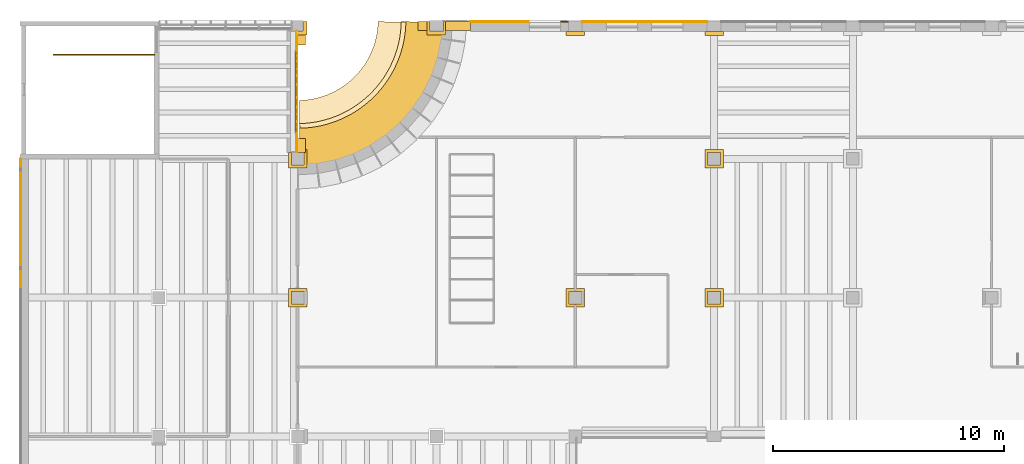
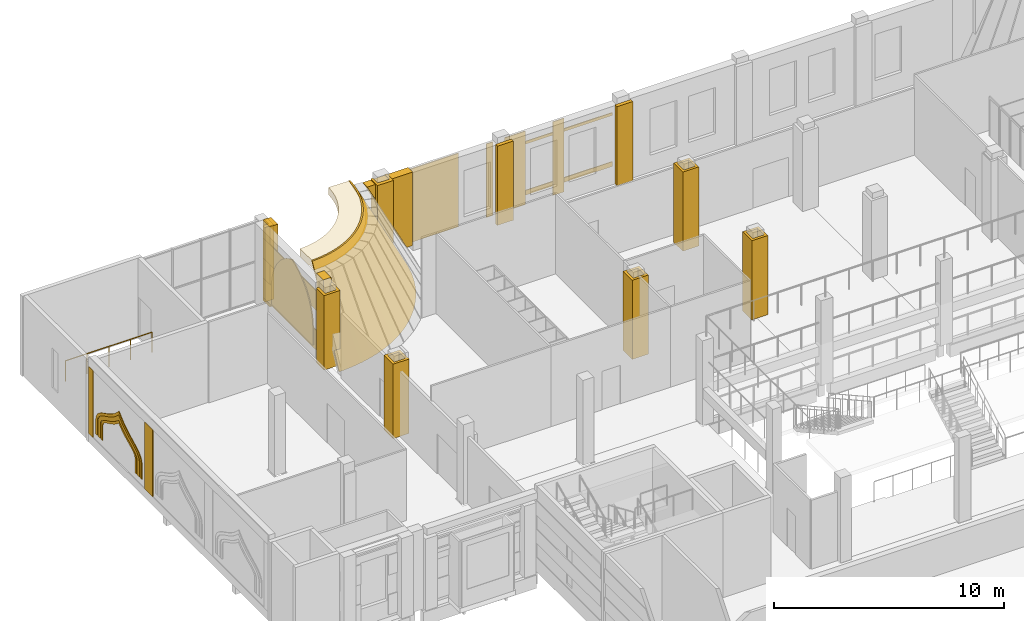
# One storey, part 66 of 70: 28 coverings, 1 railing.
"""IFC4 building model written with IfcOpenShell, lengths in metres."""

from ifc_helpers import new_model, entity, si_unit, direction, frame, origin, origin_2d, place, context, subcontext, project, spatial, polyline, rectangle, circle, outline, extrude, material, layer, layer_set, type_object, element, save


model = new_model("IFC4")

# Units and contexts
model_context = context("Model", 3, precision=1e-05, world=origin(), true_north=direction((0.0, 1.0)))
body_context = subcontext(model_context, "Body", "Model", "MODEL_VIEW")
ifc_project = project(units=[si_unit("LENGTHUNIT", "METRE"), si_unit("AREAUNIT", "SQUARE_METRE"), si_unit("VOLUMEUNIT", "CUBIC_METRE"), si_unit("PLANEANGLEUNIT", "RADIAN"), si_unit("MASSUNIT", "GRAM", prefix="KILO")], contexts=[model_context])

# Site, building, storey
site_placement = place(None, origin())
site = spatial("IfcSite", under=ifc_project, at=site_placement, CompositionType="ELEMENT")
building_placement = place(site_placement, origin())
building = spatial("IfcBuilding", under=site, at=building_placement, Name="Saffron Lane Theatres", CompositionType="ELEMENT")
storey_placement = place(building_placement, frame((0.0, 0.0, 12.0)))
storey = spatial("IfcBuildingStorey", under=building, at=storey_placement, Name="L02", CompositionType="ELEMENT", Elevation=12.0)

# Coverings
ifc_material_1 = material(Name="Masonry pale clay brick", Category="masonry")
ifc_layer_1 = layer(ifc_material_1, 0.050048828125)
ifc_layer_set_1 = layer_set([ifc_layer_1], Name="Masonry pale clay brick")
covering_type_1 = type_object("IfcCoveringType", Name="EX-ARCH PANEL BRICK 50", PredefinedType="CLADDING", material=ifc_layer_set_1)
covering_1_placement = place(storey_placement, frame((11.89990234375, 124.699951171875, 1.199951171875), z_axis=(-1.0, 0.0, 0.0), x_axis=(0.0, 0.0, -1.0)))
element("IfcCovering", 1, at=covering_1_placement, inside=storey, type_object=covering_type_1, Name="Blind arch panel 14", PredefinedType="CLADDING", context=body_context, shape_type="SweptSolid", body=[
    extrude(outline(polyline([(0.0, 0.0), (0.89990234375, 0.0), (0.89990234375, 3.599853515625), (0.0, 3.599853515625), (-0.33203125, 3.579833984375), (-0.658935546875, 3.51904296875), (-0.97607421875, 3.41796875), (-1.278076171875, 3.280029296875), (-1.56103515625, 3.10498046875), (-1.820068359375, 2.89697265625), (-2.052001953125, 2.658935546875), (-2.2529296875, 2.39404296875), (-2.420166015625, 2.10595703125), (-2.550048828125, 1.800048828125), (-2.420166015625, 1.493896484375), (-2.2529296875, 1.20703125), (-2.052001953125, 0.94189453125), (-1.820068359375, 0.703857421875), (-1.56103515625, 0.495849609375), (-1.278076171875, 0.321044921875), (-0.97607421875, 0.181884765625), (-0.658935546875, 0.08203125), (-0.33203125, 0.02099609375), (0.0, 0.0)])), origin(), (0.0, 0.0, -1.0), 0.050048828125),
])
ifc_material_2 = material(Name="Masonry pale clay brick", Category="masonry")
ifc_layer_2 = layer(ifc_material_2, 0.39990234375)
ifc_layer_set_2 = layer_set([ifc_layer_2], Name="Masonry pale clay brick")
covering_type_2 = type_object("IfcCoveringType", Name="EX-END INFILL CLADDING BRICK 400", PredefinedType="CLADDING", material=ifc_layer_set_2)
covering_2_placement = place(storey_placement, frame((19.474365234375, 125.93994140625, 4.14990234375), z_axis=(0.0, 1.0, 0.0), x_axis=(0.0, 0.0, -1.0)))
element("IfcCovering", 2, at=covering_2_placement, inside=storey, type_object=covering_type_2, Name="Wall end infill L02 11", PredefinedType="CLADDING", context=body_context, shape_type="SweptSolid", body=[
    extrude(outline(polyline([(0.0, 0.0), (3.89990234375, 0.0), (3.89990234375, 0.295166015625), (0.0, 2.280029296875), (0.0, 0.0)])), origin(), (0.0, 0.0, -1.0), 0.39990234375),
])
ifc_material_3 = material(Name="Face brick cladding, pale buff", Category="masonry")
ifc_layer_3 = layer(ifc_material_3, 0.0400390625)
ifc_layer_set_3 = layer_set([ifc_layer_3], Name="Face brick cladding, pale buff")
covering_type_3 = type_object("IfcCoveringType", Name="EX-FACE BRICK CLADDING PALE BUFF 40", PredefinedType="CLADDING", material=ifc_layer_set_3)
for number, where, z_axis, x_axis, name in (
    (3, (11.969970703125, 122.89990234375, 0.14990234375), (0.0, 0.0, 1.0), (0.0, -1.0, 0.0), "Cladding course L02"),
    (4, (11.969970703125, 122.89990234375, 2.25), (0.0, 0.0, 1.0), (0.0, -1.0, 0.0), "Cladding course L02"),
):
    element("IfcCovering", number, at=place(storey_placement, frame(where, z_axis=z_axis, x_axis=x_axis)), inside=storey, type_object=covering_type_3, Name=name, PredefinedType="CLADDING", context=body_context, shape_type="SweptSolid", body=[
        extrude(rectangle(XDim=5.25, YDim=0.0400390625, at=origin_2d()), origin(), (0.0, 0.0, 1.0), 1.050048828125),
    ])
covering_3_placement = place(storey_placement, frame((20.73291015625, 125.919921875, 0.150146484375), z_axis=(0.0, 0.0, 1.0), x_axis=(1.0, 0.0, 0.0)))
element("IfcCovering", 5, at=covering_3_placement, inside=storey, type_object=covering_type_3, Name="Cladding course L02", PredefinedType="CLADDING", context=body_context, shape_type="SweptSolid", body=[
    extrude(rectangle(XDim=2.51806640625, YDim=0.0400390625, at=origin_2d()), origin(), (0.0, 0.0, 1.0), 3.89990234375),
])
covering_4_placement = place(storey_placement, frame((23.541015625, 125.919921875, 0.150146484375), z_axis=(0.0, 0.0, 1.0), x_axis=(1.0, 0.0, 0.0)))
element("IfcCovering", 6, at=covering_4_placement, inside=storey, type_object=covering_type_3, Name="Cladding course L02", PredefinedType="CLADDING", context=body_context, shape_type="SweptSolid", body=[
    extrude(rectangle(XDim=0.318115234375, YDim=0.0400390625, at=origin_2d()), origin(), (0.0, 0.0, 1.0), 3.89990234375),
])
covering_5_placement = place(storey_placement, frame((24.81494140625, 125.919921875, 0.150146484375), z_axis=(0.0, 0.0, 1.0), x_axis=(1.0, 0.0, 0.0)))
element("IfcCovering", 7, at=covering_5_placement, inside=storey, type_object=covering_type_3, Name="Cladding course L02", PredefinedType="CLADDING", context=body_context, shape_type="SweptSolid", body=[
    extrude(rectangle(XDim=1.030029296875, YDim=0.0400390625, at=origin_2d()), origin(), (0.0, 0.0, 1.0), 3.89990234375),
])
covering_6_placement = place(storey_placement, frame((27.0, 125.919921875, 0.150146484375), z_axis=(0.0, 0.0, 1.0), x_axis=(1.0, 0.0, 0.0)))
element("IfcCovering", 8, at=covering_6_placement, inside=storey, type_object=covering_type_3, Name="Cladding course L02", PredefinedType="CLADDING", context=body_context, shape_type="SweptSolid", body=[
    extrude(rectangle(XDim=0.56005859375, YDim=0.0400390625, at=origin_2d()), origin(), (0.0, 0.0, 1.0), 3.89990234375),
])
ifc_material_4 = material(Name="Face brick cladding, pale buff", Category="masonry")
ifc_layer_4 = layer(ifc_material_4, 0.0400390625)
ifc_layer_set_4 = layer_set([ifc_layer_4], Name="Face brick cladding, pale buff")
covering_type_4 = type_object("IfcCoveringType", Name="EX-FACE BRICK SKIN PALE BUFF 40", PredefinedType="CLADDING", material=ifc_layer_set_4)
covering_7_placement = place(storey_placement, frame((0.0400390625, 114.800048828125, 0.4501953125), z_axis=(0.0, 0.0, 1.0), x_axis=(0.0, 1.0, 0.0)))
element("IfcCovering", 9, at=covering_7_placement, inside=storey, type_object=covering_type_4, Name="Face brick cladding, pale buff L02", PredefinedType="CLADDING", context=body_context, shape_type="SweptSolid", body=[
    extrude(rectangle(XDim=0.699951171875, YDim=0.0400390625, at=origin_2d()), origin(), (0.0, 0.0, 1.0), 3.550048828125),
])
covering_8_placement = place(storey_placement, frame((0.0400390625, 119.824951171875, 0.4501953125), z_axis=(0.0, 0.0, 1.0), x_axis=(0.0, 1.0, 0.0)))
element("IfcCovering", 10, at=covering_8_placement, inside=storey, type_object=covering_type_4, Name="Face brick cladding, pale buff L02", PredefinedType="CLADDING", context=body_context, shape_type="SweptSolid", body=[
    extrude(rectangle(XDim=0.35009765625, YDim=0.0400390625, at=origin_2d()), origin(), (0.0, 0.0, 1.0), 3.550048828125),
])
ifc_material_5 = material(Name="Masonry sandstone", Category="masonry")
ifc_layer_5 = layer(ifc_material_5, 0.0400390625)
ifc_layer_set_5 = layer_set([ifc_layer_5], Name="Masonry sandstone")
covering_type_5 = type_object("IfcCoveringType", Name="EX-HEAD COURSE SANDSTONE 150", PredefinedType="CLADDING", material=ifc_layer_set_5)
covering_9_placement = place(storey_placement, frame((27.0, 125.919921875, 3.35009765625), z_axis=(0.0, 0.0, 1.0), x_axis=(1.0, 0.0, 0.0)))
element("IfcCovering", 11, at=covering_9_placement, inside=storey, type_object=covering_type_5, Name="Facade head course L02", PredefinedType="CLADDING", context=body_context, shape_type="SweptSolid", body=[
    extrude(rectangle(XDim=5.39990234375, YDim=0.0400390625, at=origin_2d()), origin(), (0.0, 0.0, 1.0), 0.14990234375),
])
ifc_material_6 = material(Name="Face brick cladding, pale buff", Category="masonry")
ifc_layer_6 = layer(ifc_material_6, 0.0400390625)
ifc_layer_set_6 = layer_set([ifc_layer_6], Name="Face brick cladding, pale buff")
covering_type_6 = type_object("IfcCoveringType", Name="EX-NICHE FRAME RING FACE BRICK PALE BUFF", PredefinedType="CLADDING", material=ifc_layer_set_6)
covering_10_placement = place(storey_placement, frame((0.06005859375, 115.8701171875, 1.626953125), z_axis=(1.0, 0.0, 0.0), x_axis=(0.0, -0.100719773336, -0.994914834174)))
element("IfcCovering", 12, at=covering_10_placement, inside=storey, type_object=covering_type_6, Name="Court wall niche ring", PredefinedType="CLADDING", context=body_context, shape_type="SweptSolid", body=[
    extrude(outline(polyline([(0.0, 0.0), (0.09938232874686968, 0.0), (0.8237075327279083, 0.07332674904499405), (0.8116339466175487, 0.19259022159854533), (0.09338122087243438, 0.11987821726385474), (0.013870439917256196, 0.11992679708974213), (-0.05402376514146609, 0.13612007238553997), (-0.11644464315020871, 0.16611841474647399), (-0.17524002674550324, 0.21120709043028096), (-0.2336413739752667, 0.271795129575914), (-0.2923497936847134, 0.34511228260591786), (-0.3501016106498343, 0.43079570020347946), (-0.4101744637406862, 0.5272866296836439), (-0.47407192855603086, 0.6324697494920305), (-0.5418155961295958, 0.7441343776752944), (-0.6169751840376995, 0.8611829700189427), (-0.698456146820533, 0.9824993900294392), (-0.7913317776531765, 1.1048707719379098), (-0.8942400421579719, 1.226962669909794), (-1.010919787675438, 1.346924252553875), (-1.0992001268296963, 1.4263270783404145), (-1.0285506659669406, 1.521082928360181), (-0.9383541225693466, 1.6627237081197146), (-0.8620274193380718, 1.803205769069193), (-0.795561221260064, 1.9417080521760257), (-0.7400470750404478, 2.0768931128509673), (-0.6898707121590758, 2.206630036015279), (-0.6458807801916356, 2.329605966868126), (-0.6043600228313362, 2.4454610548473803), (-0.5648442328530311, 2.552033797576521), (-0.5254118082549527, 2.647310231409501), (-0.4826129816481589, 2.731148815125215), (-0.43751470994936187, 2.8019692050049816), (-0.3889732681219287, 2.8581694662963906), (-0.33383096748317875, 2.900069266248799), (-0.2705596426459383, 2.929541027287151), (-0.19267178772596122, 2.9455237900041036), (0.5255809380191532, 3.018235794338794), (0.5135073519087936, 3.1374992668923456), (-0.21081785207224496, 3.0641725178473513), (-0.30818381816931933, 3.0442547892335203), (-0.3965355276850663, 3.0031646530459013), (-0.47116553551590357, 2.9453048809121416), (-0.5340938028172479, 2.873661032996037), (-0.5870728018266665, 2.7910003601203575), (-0.6340626879803876, 2.6976581230588206), (-0.677009653068591, 2.5958911845869106), (-0.7172019621036982, 2.4863052931508776), (-0.7586243603103492, 2.3694786086538753), (-0.802469752302001, 2.2474988641071882), (-0.8509979996088227, 2.120873448803418), (-0.906032345078934, 1.9906447298708636), (-0.9691285426426051, 1.8576367650968015), (-1.0419407053837548, 1.7236452087862535), (-1.1267532846209647, 1.5894203493612586), (-1.260485148775843, 1.4099994588347553), (-1.0935324804761668, 1.261263625491915), (-0.9835399579049282, 1.1467597763734545), (-0.8853265437340405, 1.0298365319756144), (-0.7968536845290435, 0.9121725951707258), (-0.7168361140322005, 0.7956157985953203), (-0.6439393864089505, 0.6815281766270556), (-0.576536977118471, 0.5708105551731273), (-0.5125411531494778, 0.4646558388469928), (-0.4512016260799323, 0.3653484789672333), (-0.3887057792040795, 0.2740106095367539), (-0.3239866556052074, 0.192222574274237), (-0.25551608989614205, 0.12185679560462648), (-0.1794814653711285, 0.06403540753082734), (-0.09479423407972695, 0.02254943572486697), (0.0, 0.0)])), origin(), (0.0, 0.0, -1.0), 0.0400390625),
])
covering_11_placement = place(storey_placement, frame((0.06005859375, 115.612060546875, 1.653076171875), z_axis=(1.0, 0.0, 0.0), x_axis=(0.0, -0.096765974061, -0.995307161767)))
element("IfcCovering", 13, at=covering_11_placement, inside=storey, type_object=covering_type_6, Name="Court wall niche ring", PredefinedType="CLADDING", context=body_context, shape_type="SweptSolid", body=[
    extrude(outline(polyline([(0.0, 0.0), (0.12362703668442167, 0.0), (0.8501818251811128, 0.07063727110384499), (0.8308333552700596, 0.2696501044746778), (0.11424135818753717, 0.19998143809165478), (0.02273014911057792, 0.20016030934671944), (-0.05224053126690953, 0.21691008366532347), (-0.12065709886447978, 0.24950515123918565), (-0.18672134071148244, 0.2982728802143677), (-0.25356181630687896, 0.36511673073910506), (-0.3196564325179492, 0.44699589147729824), (-0.3885252406471924, 0.544794593916248), (-0.4583322791331901, 0.6547666664876187), (-0.5333097093693592, 0.7750288986192199), (-0.6142641394681614, 0.903785827901723), (-0.7018300561456751, 1.0399946011688075), (-0.7997367563235318, 1.1791226883157213), (-0.9099281993020573, 1.3209810932993773), (-1.03335949008471, 1.4627787495548978), (-1.1725854501825084, 1.6030408129603348), (-1.2548156035721492, 1.6742754465575092), (-1.1878705051671865, 1.7602585213741673), (-1.0782696748233085, 1.9247120782947675), (-0.9844398892891901, 2.0873870474527427), (-0.9036609555161117, 2.2480573085822577), (-0.834481653887511, 2.4044110350848347), (-0.7746981555438173, 2.5539642789656125), (-0.7200614244449093, 2.695903682253449), (-0.6696534798100775, 2.828356159164175), (-0.6223133459460719, 2.9494722484190095), (-0.5735726164056167, 3.0587052114647357), (-0.5245112685777813, 3.1520253826683864), (-0.4717982472031538, 3.230492489842987), (-0.41636503277980674, 3.29107247151112), (-0.35550830690572494, 3.3362357759502816), (-0.28516802958387416, 3.3671130044896547), (-0.1954050339054716, 3.384915756762602), (0.5211869631770509, 3.454584423145625), (0.5018384932659978, 3.6535972565164574), (-0.22471629523069342, 3.5829599854126126), (-0.3460281303872968, 3.559146483983624), (-0.4567933113537656, 3.5101121355905156), (-0.5503902267633658, 3.4409159593152108), (-0.6294850707953634, 3.353751659229257), (-0.6961500500650362, 3.2547953560263982), (-0.753976089391041, 3.1456602659315567), (-0.8067026104830319, 3.0269640010141066), (-0.8567291881023483, 2.9006808949384415), (-0.9070426347156366, 2.7672564383775526), (-0.9606533872949283, 2.6273791169169716), (-1.0188709184244709, 2.4819027876799318), (-1.0849419101301552, 2.3339458853773727), (-1.1605200777889944, 2.182857048646511), (-1.2481534930533251, 2.0296150069961914), (-1.3498502388809483, 1.8772133227517422), (-1.5296428496556802, 1.6475561309660547), (-1.3090034690687251, 1.457075118968873), (-1.1798550479826844, 1.3271167148410299), (-1.0643447163629902, 1.193624759693324), (-0.9610786283918746, 1.0599235589264857), (-0.8677213329654742, 0.9272213372445371), (-0.7826899882229337, 0.7968984407478829), (-0.7031395287299221, 0.6699673482387758), (-0.6279731024506657, 0.5477611568068491), (-0.5545346399939212, 0.4332363045546811), (-0.4799318269145855, 0.32691928045944346), (-0.40219032954826595, 0.23120965928247547), (-0.31771247321762364, 0.14694779842964714), (-0.2234034477171055, 0.07762337483939008), (-0.11811240214148414, 0.026537069407048884), (0.0, 0.0)])), origin(), (0.0, 0.0, -1.0), 0.0400390625),
])
covering_12_placement = place(storey_placement, frame((0.06005859375, 115.4130859375, 1.6640625), z_axis=(1.0, 0.0, 0.0), x_axis=(0.0, -0.096495519958, -0.995333418824)))
element("IfcCovering", 14, at=covering_12_placement, inside=storey, type_object=covering_type_6, Name="Court wall niche ring", PredefinedType="CLADDING", context=body_context, shape_type="SweptSolid", body=[
    extrude(outline(polyline([(0.0, 0.0), (0.13662389461981092, -1.734723475976807e-18), (0.8612538396719268, 0.07025137707866112), (0.8477312741309638, 0.20973413645489), (0.12917636215272557, 0.14007172129003387), (0.014634612887843656, 0.14000497227313596), (-0.08288482826382068, 0.1617018929096281), (-0.17218454243918863, 0.20234680898343804), (-0.2564942222663331, 0.2623624642682525), (-0.33744420157628324, 0.3408549454593407), (-0.417221492275635, 0.43761222626773294), (-0.49821640719826804, 0.5494591475758936), (-0.5808913905135404, 0.6761055911077636), (-0.6683967340581825, 0.8120951519330023), (-0.7610225561082536, 0.9578902742209678), (-0.8631738555109312, 1.1108563350105727), (-0.9767313839776322, 1.2676222908144306), (-1.1027216803107147, 1.4261263386661396), (-1.2456910942166692, 1.5851918635423428), (-1.40555280834672, 1.7413932884451164), (-1.5313851756332861, 1.847666884976345), (-1.4283338551726976, 1.9763755677427008), (-1.3014540082157273, 2.1603759949770707), (-1.1917020462483752, 2.3439423354675624), (-1.0985051492759552, 2.5236961291693554), (-1.017175616732664, 2.699355983168078), (-0.9463099741913086, 2.8690956792628497), (-0.8833913910735619, 3.029725225221268), (-0.8237557252901728, 3.1812062294519157), (-0.7668537153230075, 3.3204032332329283), (-0.7088283150387696, 3.4454826018059923), (-0.6491228463618925, 3.5557624481553476), (-0.5847815930212436, 3.6485858996476064), (-0.5135704261571223, 3.723678979925829), (-0.43374121955573897, 3.7807205956799708), (-0.3422056314483335, 3.8207460110740747), (-0.2297841450731496, 3.8426828791569316), (0.4887707669050887, 3.9123452943217876), (0.475271759840678, 4.051585052375061), (-0.24935818521143788, 3.9813336752964004), (-0.3834613228401634, 3.9553325337402043), (-0.504014410038615, 3.903418376780841), (-0.6063149131261232, 3.830216954916143), (-0.6937103171135216, 3.7373660185345736), (-0.7688823619150025, 3.6297565691292184), (-0.8344259700959822, 3.5088540311952423), (-0.8948093993758616, 3.375206357446526), (-0.9543447234998617, 3.232810636071426), (-1.0130083839914306, 3.081423865746987), (-1.0769932063072063, 2.9216720911741803), (-1.1463153323663084, 2.756251885382063), (-1.224228013273362, 2.585828993467278), (-1.3147370625784096, 2.411241486419765), (-1.4194344225210618, 2.2362595930240445), (-1.5409224322241686, 2.059895166069178), (-1.7265152379662334, 1.828749428304928), (-1.5000013584529968, 1.6378018680961646), (-1.346874314740285, 1.487815518322329), (-1.210537920788028, 1.3364466349893465), (-1.0881778111844056, 1.182496353401561), (-0.9789794734160301, 1.0302134884319696), (-0.8791726786983809, 0.8811899823201841), (-0.785763319168907, 0.7374331045220681), (-0.6990179546271155, 0.5991622978840245), (-0.6132384876239643, 0.47085454548714034), (-0.5283306842532445, 0.3515378420395949), (-0.44078345897250965, 0.2454771443335051), (-0.346340580351329, 0.154311511561586), (-0.24283117840222554, 0.08094954304186586), (-0.12825670903102115, 0.027547275646955194), (0.0, 0.0)])), origin(), (0.0, 0.0, -1.0), 0.0400390625),
])
ifc_material_7 = material(Name="Face brick cladding, pale buff", Category="masonry")
ifc_layer_7 = layer(ifc_material_7, 0.10009765625)
ifc_layer_set_7 = layer_set([ifc_layer_7], Name="Face brick cladding, pale buff")
covering_type_7 = type_object("IfcCoveringType", Name="EX-PIER CASING FACE BRICK PALE BUFF 800", PredefinedType="CLADDING", material=ifc_layer_set_7)
covering_13_placement = place(storey_placement, origin())
element("IfcCovering", 15, at=covering_13_placement, inside=storey, type_object=covering_type_7, Name="Pier casing L02 43", PredefinedType="CLADDING", context=body_context, shape_type="SweptSolid", body=[
    extrude(outline(polyline([(12.39990234375, 114.39990234375), (11.60009765625, 114.39990234375), (11.60009765625, 113.60009765625), (12.39990234375, 113.60009765625), (12.39990234375, 114.39990234375)]), holes=[polyline([(11.72509765625, 114.27490234375), (12.27490234375, 114.27490234375), (12.27490234375, 113.72509765625), (11.72509765625, 113.72509765625), (11.72509765625, 114.27490234375)])]), origin(), (0.0, 0.0, 1.0), 3.949951171875),
])
covering_14_placement = place(storey_placement, origin())
element("IfcCovering", 16, at=covering_14_placement, inside=storey, type_object=covering_type_7, Name="Pier casing L02 44", PredefinedType="CLADDING", context=body_context, shape_type="SweptSolid", body=[
    extrude(outline(polyline([(24.39990234375, 114.39990234375), (23.60009765625, 114.39990234375), (23.60009765625, 113.60009765625), (24.39990234375, 113.60009765625), (24.39990234375, 114.39990234375)]), holes=[polyline([(23.72509765625, 114.27490234375), (24.27490234375, 114.27490234375), (24.27490234375, 113.72509765625), (23.72509765625, 113.72509765625), (23.72509765625, 114.27490234375)])]), origin(), (0.0, 0.0, 1.0), 4.199951171875),
])
covering_15_placement = place(storey_placement, origin())
element("IfcCovering", 17, at=covering_15_placement, inside=storey, type_object=covering_type_7, Name="Pier casing L02 45", PredefinedType="CLADDING", context=body_context, shape_type="SweptSolid", body=[
    extrude(outline(polyline([(30.39990234375, 114.39990234375), (29.60009765625, 114.39990234375), (29.60009765625, 113.60009765625), (30.39990234375, 113.60009765625), (30.39990234375, 114.39990234375)]), holes=[polyline([(29.72509765625, 114.27490234375), (30.27490234375, 114.27490234375), (30.27490234375, 113.72509765625), (29.72509765625, 113.72509765625), (29.72509765625, 114.27490234375)])]), origin(), (0.0, 0.0, 1.0), 4.199951171875),
])
covering_16_placement = place(storey_placement, origin())
element("IfcCovering", 18, at=covering_16_placement, inside=storey, type_object=covering_type_7, Name="Pier casing L02 49", PredefinedType="CLADDING", context=body_context, shape_type="SweptSolid", body=[
    extrude(outline(polyline([(12.39990234375, 120.39990234375), (11.9541015625, 120.39990234375), (11.9541015625, 120.27490234375), (12.27490234375, 120.27490234375), (12.27490234375, 119.72509765625), (11.72509765625, 119.72509765625), (11.72509765625, 120.27099609375), (11.60009765625, 120.27099609375), (11.60009765625, 119.60009765625), (12.39990234375, 119.60009765625), (12.39990234375, 120.39990234375)])), origin(), (0.0, 0.0, 1.0), 3.949951171875),
])
covering_17_placement = place(storey_placement, origin())
element("IfcCovering", 19, at=covering_17_placement, inside=storey, type_object=covering_type_7, Name="Pier casing L02 50", PredefinedType="CLADDING", context=body_context, shape_type="SweptSolid", body=[
    extrude(outline(polyline([(30.39990234375, 120.39990234375), (29.60009765625, 120.39990234375), (29.60009765625, 119.60009765625), (30.39990234375, 119.60009765625), (30.39990234375, 120.39990234375)]), holes=[polyline([(29.72509765625, 120.27490234375), (30.27490234375, 120.27490234375), (30.27490234375, 119.72509765625), (29.72509765625, 119.72509765625), (29.72509765625, 120.27490234375)])]), origin(), (0.0, 0.0, 1.0), 4.199951171875),
])
covering_18_placement = place(storey_placement, origin())
element("IfcCovering", 20, at=covering_18_placement, inside=storey, type_object=covering_type_7, Name="Pier casing L02 53", PredefinedType="CLADDING", context=body_context, shape_type="SweptSolid", body=[
    extrude(outline(polyline([(12.22509765625, 125.5244140625), (11.9541015625, 125.5244140625), (11.9541015625, 125.5244140625), (11.9541015625, 125.349609375), (12.39990234375, 125.349609375), (12.39990234375, 125.93994140625), (12.22509765625, 125.93994140625), (12.22509765625, 125.5244140625)])), origin(), (0.0, 0.0, 1.0), 3.949951171875),
])
covering_19_placement = place(storey_placement, origin())
element("IfcCovering", 21, at=covering_19_placement, inside=storey, type_object=covering_type_7, Name="Pier casing L02 54", PredefinedType="CLADDING", context=body_context, shape_type="SweptSolid", body=[
    extrude(outline(polyline([(17.60009765625, 125.93994140625), (17.60009765625, 125.349609375), (18.39990234375, 125.349609375), (18.39990234375, 125.93994140625), (18.300048828125, 125.93994140625), (18.300048828125, 125.5244140625), (17.699951171875, 125.5244140625), (17.699951171875, 125.93994140625), (17.60009765625, 125.93994140625)])), origin(), (0.0, 0.0, 1.0), 4.199951171875),
])
covering_20_placement = place(storey_placement, origin())
element("IfcCovering", 22, at=covering_20_placement, inside=storey, type_object=covering_type_7, Name="Pier casing L02 55", PredefinedType="CLADDING", context=body_context, shape_type="SweptSolid", body=[
    extrude(outline(polyline([(23.60009765625, 125.495849609375), (23.60009765625, 125.324462890625), (24.39990234375, 125.324462890625), (24.39990234375, 125.495849609375), (24.300048828125, 125.495849609375), (24.299560546875, 125.495849609375), (24.29931640625, 125.49609375), (24.298828125, 125.49609375), (24.298583984375, 125.496337890625), (24.298095703125, 125.496337890625), (24.2978515625, 125.49658203125), (24.297607421875, 125.496826171875), (24.297119140625, 125.4970703125), (24.296875, 125.497314453125), (24.296630859375, 125.497802734375), (24.296630859375, 125.498046875), (24.29638671875, 125.49853515625), (24.296142578125, 125.498779296875), (24.296142578125, 125.499267578125), (24.296142578125, 125.49951171875), (23.703857421875, 125.49951171875), (23.703857421875, 125.499267578125), (23.703857421875, 125.498779296875), (23.70361328125, 125.49853515625), (23.703369140625, 125.498046875), (23.703369140625, 125.497802734375), (23.703125, 125.497314453125), (23.702880859375, 125.4970703125), (23.702392578125, 125.496826171875), (23.7021484375, 125.49658203125), (23.701904296875, 125.496337890625), (23.701416015625, 125.496337890625), (23.701171875, 125.49609375), (23.70068359375, 125.49609375), (23.700439453125, 125.495849609375), (23.699951171875, 125.495849609375), (23.60009765625, 125.495849609375)])), origin(), (0.0, 0.0, 1.0), 4.199951171875),
])
covering_21_placement = place(storey_placement, origin())
element("IfcCovering", 23, at=covering_21_placement, inside=storey, type_object=covering_type_7, Name="Pier casing L02 56", PredefinedType="CLADDING", context=body_context, shape_type="SweptSolid", body=[
    extrude(outline(polyline([(29.60009765625, 125.495849609375), (29.60009765625, 125.324462890625), (30.39990234375, 125.324462890625), (30.39990234375, 125.495849609375), (30.300048828125, 125.495849609375), (30.299560546875, 125.495849609375), (30.29931640625, 125.49609375), (30.298828125, 125.49609375), (30.298583984375, 125.496337890625), (30.298095703125, 125.496337890625), (30.2978515625, 125.49658203125), (30.297607421875, 125.496826171875), (30.297119140625, 125.4970703125), (30.296875, 125.497314453125), (30.296630859375, 125.497802734375), (30.296630859375, 125.498046875), (30.29638671875, 125.49853515625), (30.296142578125, 125.498779296875), (30.296142578125, 125.499267578125), (30.296142578125, 125.49951171875), (29.703857421875, 125.49951171875), (29.703857421875, 125.499267578125), (29.703857421875, 125.498779296875), (29.70361328125, 125.49853515625), (29.703369140625, 125.498046875), (29.703369140625, 125.497802734375), (29.703125, 125.497314453125), (29.702880859375, 125.4970703125), (29.702392578125, 125.496826171875), (29.7021484375, 125.49658203125), (29.701904296875, 125.496337890625), (29.701416015625, 125.496337890625), (29.701171875, 125.49609375), (29.70068359375, 125.49609375), (29.700439453125, 125.495849609375), (29.699951171875, 125.495849609375), (29.60009765625, 125.495849609375)])), origin(), (0.0, 0.0, 1.0), 4.199951171875),
])
ifc_material_8 = material(Name="Masonry sandstone", Category="masonry")
ifc_layer_8 = layer(ifc_material_8, 0.39990234375)
ifc_layer_set_8 = layer_set([ifc_layer_8], Name="Masonry sandstone")
covering_type_8 = type_object("IfcCoveringType", Name="EX-PILASTER PIER SANDSTONE 400", PredefinedType="CLADDING", material=ifc_layer_set_8)
for number, where, z_axis, x_axis, name in (
    (24, (12.14990234375, 125.22509765625, 0.0), (0.0, 0.0, 1.0), (0.0, -1.0, 0.0), "Pilaster pier L02"),
    (25, (12.14990234375, 120.574951171875, 0.0), (0.0, 0.0, 1.0), (0.0, -1.0, 0.0), "Pilaster pier L02"),
):
    element("IfcCovering", number, at=place(storey_placement, frame(where, z_axis=z_axis, x_axis=x_axis)), inside=storey, type_object=covering_type_8, Name=name, PredefinedType="CLADDING", context=body_context, shape_type="SweptSolid", body=[
        extrude(rectangle(XDim=0.60009765625, YDim=0.39990234375, at=origin_2d()), origin(), (0.0, 0.0, 1.0), 4.25),
    ])
ifc_material_9 = material(Name="Face brick cladding, pale buff", Category="masonry")
ifc_layer_9 = layer(ifc_material_9, 0.080078125)
ifc_layer_set_9 = layer_set([ifc_layer_9], Name="Face brick cladding, pale buff")
covering_type_9 = type_object("IfcCoveringType", Name="EX-SCOOP SKIN FACE BRICK PALE BUFF 80", PredefinedType="CLADDING", material=ifc_layer_set_9)
covering_22_placement = place(storey_placement, frame((12.0, 125.99951171875, -12.0), z_axis=(0.0, 0.0, 1.0), x_axis=(0.015636, -0.999878, 0.0)))
cartesian_point_1 = entity("IfcCartesianPoint", [6.76220703125, 12.0])
cartesian_point_2 = entity("IfcCartesianPoint", [0.0, 0.0, 0.0])
element("IfcCovering", 26, at=covering_22_placement, inside=storey, type_object=covering_type_9, Name="Scoop skin NW L02", PredefinedType="CLADDING", context=body_context, shape_type="SweptSolid", body=[
    entity("IfcRevolvedAreaSolid", entity("IfcArbitraryClosedProfileDef", "AREA", None, entity("IfcPolyline", [cartesian_point_1, entity("IfcCartesianPoint", [6.84228515625, 12.0]), entity("IfcCartesianPoint", [4.556884765625, 16.5]), entity("IfcCartesianPoint", [4.476806640625, 16.5]), cartesian_point_1])), entity("IfcAxis2Placement3D", cartesian_point_2, entity("IfcDirection", [0.0, -1.0, 0.0]), entity("IfcDirection", [1.0, 0.0, 0.0])), entity("IfcAxis1Placement", cartesian_point_2, entity("IfcDirection", [0.0, 1.0, 0.0])), 1.539523),
])
ifc_material_10 = material(Name="Masonry sandstone", Category="masonry")
ifc_layer_10 = layer(ifc_material_10, 0.39990234375)
ifc_layer_set_10 = layer_set([ifc_layer_10], Name="Masonry sandstone")
covering_type_10 = type_object("IfcCoveringType", Name="EX-SCOOP STEP SANDSTONE 700", PredefinedType="CLADDING", material=ifc_layer_set_10)
covering_23_placement = place(storey_placement, frame((12.0, 125.99951171875, -12.0), z_axis=(0.0, 0.0, 1.0), x_axis=(0.020134, -0.999797, 0.0)))
cartesian_point_3 = entity("IfcCartesianPoint", [3.476806640625, 16.10009765625])
cartesian_point_4 = entity("IfcCartesianPoint", [0.0, 0.0, 0.0])
element("IfcCovering", 27, at=covering_23_placement, inside=storey, type_object=covering_type_10, Name="Floor step NW L03", PredefinedType="CLADDING", context=body_context, shape_type="SweptSolid", body=[
    entity("IfcRevolvedAreaSolid", entity("IfcArbitraryClosedProfileDef", "AREA", None, entity("IfcPolyline", [cartesian_point_3, entity("IfcCartesianPoint", [4.679931640625, 16.10009765625]), entity("IfcCartesianPoint", [4.476806640625, 16.5]), entity("IfcCartesianPoint", [3.476806640625, 16.5]), cartesian_point_3])), entity("IfcAxis2Placement3D", cartesian_point_4, entity("IfcDirection", [0.0, -1.0, 0.0]), entity("IfcDirection", [1.0, 0.0, 0.0])), entity("IfcAxis1Placement", cartesian_point_4, entity("IfcDirection", [0.0, 1.0, 0.0])), 1.530526),
])
ifc_material_11 = material(Name="Masonry sandstone", Category="masonry")
ifc_layer_11 = layer(ifc_material_11, 0.0400390625)
ifc_layer_set_11 = layer_set([ifc_layer_11], Name="Masonry sandstone")
covering_type_11 = type_object("IfcCoveringType", Name="EX-SILL COURSE SANDSTONE 250", PredefinedType="CLADDING", material=ifc_layer_set_11)
covering_24_placement = place(storey_placement, frame((27.0, 125.919921875, 0.64990234375), z_axis=(0.0, 0.0, 1.0), x_axis=(1.0, 0.0, 0.0)))
element("IfcCovering", 28, at=covering_24_placement, inside=storey, type_object=covering_type_11, Name="Facade sill course L02", PredefinedType="CLADDING", context=body_context, shape_type="SweptSolid", body=[
    extrude(rectangle(XDim=5.39990234375, YDim=0.0400390625, at=origin_2d()), origin(), (0.0, 0.0, 1.0), 0.25),
])

# Railing
ifc_material_12 = material(Name="Steel Grade 350", Category="steel")
railing_type = type_object("IfcRailingType", Name="VC-GUARD 1100", PredefinedType="GUARDRAIL", material=ifc_material_12)
railing_placement = place(storey_placement, frame((5.800048828125, 124.5, 0.0)))
element("IfcRailing", 29, at=railing_placement, inside=storey, type_object=railing_type, Name="West Wing Street Stair guard L02", PredefinedType="GUARDRAIL", context=body_context, shape_type="SweptSolid", body=[
    extrude(circle(Radius=0.02392578125, at=origin_2d()), frame((0.0, 0.0, 1.076171875), z_axis=(-1.0, 0.0, 0.0), x_axis=(0.0, -1.0, 0.0)), (0.0, 0.0, 1.0), 4.35009765625),
    extrude(circle(Radius=0.02099609375, at=origin_2d()), origin(), (0.0, 0.0, 1.0), 1.052001953125),
    extrude(circle(Radius=0.02099609375, at=origin_2d()), frame((-1.08740234375, 0.0, 0.0)), (0.0, 0.0, 1.0), 1.052001953125),
    extrude(circle(Radius=0.02099609375, at=origin_2d()), frame((-2.175048828125, 0.0, 0.0)), (0.0, 0.0, 1.0), 1.052001953125),
    extrude(circle(Radius=0.02099609375, at=origin_2d()), frame((-3.2626953125, 0.0, 0.0)), (0.0, 0.0, 1.0), 1.052001953125),
    extrude(circle(Radius=0.02099609375, at=origin_2d()), frame((-4.35009765625, 0.0, 0.0)), (0.0, 0.0, 1.0), 1.052001953125),
])

save(model, "model.ifc")
